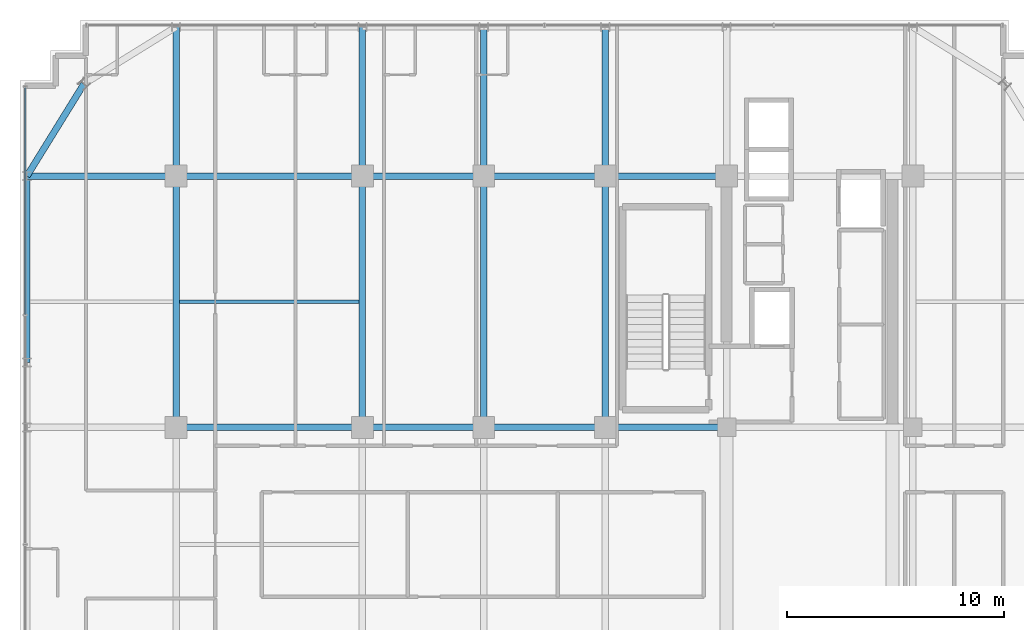
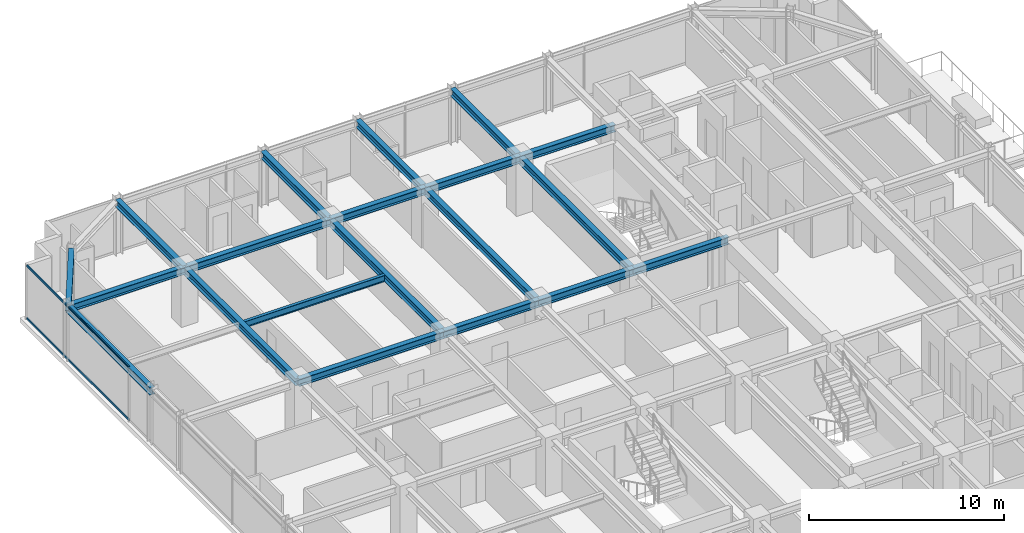
# One storey, part 19 of 34: 20 beams, 2 members, 1 element without a shape of its own.
"""IFC4 building model written with IfcOpenShell, lengths in metres."""

from ifc_helpers import new_model, si_unit, direction, frame, origin, origin_2d, place, context, subcontext, project, spatial, hollow_rectangle, i_section, extrude, source, transform, mapped, material, material_profile, profile_set, type_object, element, aggregate, save


model = new_model("IFC4")

# Units and contexts
model_context = context("Model", 3, precision=1e-05, world=origin(), true_north=direction((0.0, 1.0)))
body_context = subcontext(model_context, "Body", "Model", "MODEL_VIEW")
ifc_project = project(units=[si_unit("LENGTHUNIT", "METRE"), si_unit("AREAUNIT", "SQUARE_METRE"), si_unit("VOLUMEUNIT", "CUBIC_METRE"), si_unit("PLANEANGLEUNIT", "RADIAN"), si_unit("MASSUNIT", "GRAM", prefix="KILO")], contexts=[model_context])

# Site, building, storey
site_placement = place(None, origin())
site = spatial("IfcSite", under=ifc_project, at=site_placement, CompositionType="ELEMENT")
building_placement = place(site_placement, origin())
building = spatial("IfcBuilding", under=site, at=building_placement, Name="Nahalor Promenade Grand Hotel", CompositionType="ELEMENT")
storey_placement = place(building_placement, frame((0.0, 0.0, 208.60009765625)))
storey = spatial("IfcBuildingStorey", under=building, at=storey_placement, Name="L53", CompositionType="ELEMENT", Elevation=208.60009765625)

# Beams
ifc_material_1 = material(Name="Steel S355JR", Category="steel")
ifc_material_profile_1 = material_profile(ifc_material_1, i_section(OverallWidth=0.3, OverallDepth=0.45, WebThickness=0.014, FlangeThickness=0.026, at=origin_2d()), Name="HEB 450")
ifc_profile_set_1 = profile_set([ifc_material_profile_1], Name="Steel S355JR")
beam_type_1 = type_object("IfcBeamType", Name="Beam-Spandrel-HEB450", PredefinedType="SPANDREL", material=ifc_profile_set_1)
shared_shape_1 = source(origin(), body_context, "Body", "SweptSolid", [
    extrude(i_section(OverallWidth=0.3, OverallDepth=0.45, WebThickness=0.014, FlangeThickness=0.026, at=origin_2d()), origin(), (0.0, 0.0, 1.0), 8.60009765625),
])
beam_1_placement = place(storey_placement, frame((-23.8798828125, 8.39990234375, 3.184814453125), z_axis=(0.0, 1.0, 0.0), x_axis=(-1.0, 0.0, 0.0)))
element("IfcBeam", 1, at=beam_1_placement, inside=storey, type_object=beam_type_1, Name="BM-L53-SP-W-4", PredefinedType="SPANDREL", context=body_context, shape_type="MappedRepresentation", body=[
    mapped(shared_shape_1, transform((0.0, 0.0, 0.0), scale=1.0)),
])
shared_shape_2 = source(origin(), body_context, "Body", "SweptSolid", [
    extrude(i_section(OverallWidth=0.3, OverallDepth=0.45, WebThickness=0.014, FlangeThickness=0.026, at=origin_2d()), origin(), (0.0, 0.0, 1.0), 4.997802734375),
])
beam_2_placement = place(storey_placement, frame((-21.25, 21.25, 3.184814453125), z_axis=(-0.526199891161, -0.850360908404, 0.0), x_axis=(0.850360908404, -0.526199891161, 0.0)))
element("IfcBeam", 2, at=beam_2_placement, inside=storey, type_object=beam_type_1, Name="BM-L53-SPC-NW-2", PredefinedType="SPANDREL", context=body_context, shape_type="MappedRepresentation", body=[
    mapped(shared_shape_2, transform((0.0, 0.0, 0.0), scale=1.0)),
])
ifc_material_profile_2 = material_profile(ifc_material_1, i_section(OverallWidth=0.3, OverallDepth=0.45, WebThickness=0.014, FlangeThickness=0.026, at=origin_2d()), Name="HEB 450")
ifc_profile_set_2 = profile_set([ifc_material_profile_2], Name="Steel S355JR")
beam_type_2 = type_object("IfcBeamType", Name="Beam-Girder-HEB450", PredefinedType="BEAM", material=ifc_profile_set_2)
shared_shape_3 = source(origin(), body_context, "Body", "SweptSolid", [
    extrude(i_section(OverallWidth=0.3, OverallDepth=0.45, WebThickness=0.014, FlangeThickness=0.026, at=origin_2d()), origin(), (0.0, 0.0, 1.0), 6.8798828125),
])
for number, where, z_axis, x_axis, name in (
    (3, (-23.8798828125, 17.0, 3.184814453125), (1.0, 0.0, 0.0), (0.0, 1.0, 0.0), "BM-L53-GX-3-0"),
    (4, (-17.0, 17.0, 3.184814453125), (0.0, 1.0, 0.0), (-1.0, 0.0, 0.0), "BM-L53-GY-0-4"),
    (5, (-8.39990234375, 17.0, 3.184814453125), (0.0, 1.0, 0.0), (-1.0, 0.0, 0.0), "BM-L53-GY-1-4"),
    (6, (-2.800048828125, 17.0, 3.184814453125), (0.0, 1.0, 0.0), (-1.0, 0.0, 0.0), "BM-L53-GY-2-4"),
    (7, (2.800048828125, 17.0, 3.184814453125), (0.0, 1.0, 0.0), (-1.0, 0.0, 0.0), "BM-L53-GY-3-4"),
):
    element("IfcBeam", number, at=place(storey_placement, frame(where, z_axis=z_axis, x_axis=x_axis)), inside=storey, type_object=beam_type_2, Name=name, PredefinedType="BEAM", context=body_context, shape_type="MappedRepresentation", body=[
        mapped(shared_shape_3, transform((0.0, 0.0, 0.0), scale=1.0)),
    ])
shared_shape_4 = source(origin(), body_context, "Body", "SweptSolid", [
    extrude(i_section(OverallWidth=0.3, OverallDepth=0.45, WebThickness=0.014, FlangeThickness=0.026, at=origin_2d()), origin(), (0.0, 0.0, 1.0), 8.60009765625),
])
for number, where, z_axis, x_axis, name in (
    (8, (-17.0, 5.39990234375, 3.184814453125), (1.0, 0.0, 0.0), (0.0, 1.0, 0.0), "BM-L53-GX-2-1"),
    (9, (-17.0, 17.0, 3.184814453125), (1.0, 0.0, 0.0), (0.0, 1.0, 0.0), "BM-L53-GX-3-1"),
):
    element("IfcBeam", number, at=place(storey_placement, frame(where, z_axis=z_axis, x_axis=x_axis)), inside=storey, type_object=beam_type_2, Name=name, PredefinedType="BEAM", context=body_context, shape_type="MappedRepresentation", body=[
        mapped(shared_shape_4, transform((0.0, 0.0, 0.0), scale=1.0)),
    ])
shared_shape_5 = source(origin(), body_context, "Body", "SweptSolid", [
    extrude(i_section(OverallWidth=0.3, OverallDepth=0.45, WebThickness=0.014, FlangeThickness=0.026, at=origin_2d()), origin(), (0.0, 0.0, 1.0), 5.599853515625),
])
for number, where, z_axis, x_axis, name in (
    (10, (-8.39990234375, 5.39990234375, 3.184814453125), (1.0, 0.0, 0.0), (0.0, 1.0, 0.0), "BM-L53-GX-2-2"),
    (11, (2.800048828125, 5.39990234375, 3.184814453125), (1.0, 0.0, 0.0), (0.0, 1.0, 0.0), "BM-L53-GX-2-4"),
    (12, (-8.39990234375, 17.0, 3.184814453125), (1.0, 0.0, 0.0), (0.0, 1.0, 0.0), "BM-L53-GX-3-2"),
    (13, (2.800048828125, 17.0, 3.184814453125), (1.0, 0.0, 0.0), (0.0, 1.0, 0.0), "BM-L53-GX-3-4"),
):
    element("IfcBeam", number, at=place(storey_placement, frame(where, z_axis=z_axis, x_axis=x_axis)), inside=storey, type_object=beam_type_2, Name=name, PredefinedType="BEAM", context=body_context, shape_type="MappedRepresentation", body=[
        mapped(shared_shape_5, transform((0.0, 0.0, 0.0), scale=1.0)),
    ])
shared_shape_6 = source(origin(), body_context, "Body", "SweptSolid", [
    extrude(i_section(OverallWidth=0.3, OverallDepth=0.45, WebThickness=0.014, FlangeThickness=0.026, at=origin_2d()), origin(), (0.0, 0.0, 1.0), 5.60009765625),
])
for number, where, z_axis, x_axis, name in (
    (14, (-2.800048828125, 5.39990234375, 3.184814453125), (1.0, 0.0, 0.0), (0.0, 1.0, 0.0), "BM-L53-GX-2-3"),
    (15, (-2.800048828125, 17.0, 3.184814453125), (1.0, 0.0, 0.0), (0.0, 1.0, 0.0), "BM-L53-GX-3-3"),
):
    element("IfcBeam", number, at=place(storey_placement, frame(where, z_axis=z_axis, x_axis=x_axis)), inside=storey, type_object=beam_type_2, Name=name, PredefinedType="BEAM", context=body_context, shape_type="MappedRepresentation", body=[
        mapped(shared_shape_6, transform((0.0, 0.0, 0.0), scale=1.0)),
    ])
shared_shape_7 = source(origin(), body_context, "Body", "SweptSolid", [
    extrude(i_section(OverallWidth=0.3, OverallDepth=0.45, WebThickness=0.014, FlangeThickness=0.026, at=origin_2d()), origin(), (0.0, 0.0, 1.0), 11.60009765625),
])
for number, where, z_axis, x_axis, name in (
    (16, (-17.0, 5.39990234375, 3.184814453125), (0.0, 1.0, 0.0), (-1.0, 0.0, 0.0), "BM-L53-GY-0-3"),
    (17, (-8.39990234375, 5.39990234375, 3.184814453125), (0.0, 1.0, 0.0), (-1.0, 0.0, 0.0), "BM-L53-GY-1-3"),
    (18, (-2.800048828125, 5.39990234375, 3.184814453125), (0.0, 1.0, 0.0), (-1.0, 0.0, 0.0), "BM-L53-GY-2-3"),
    (19, (2.800048828125, 5.39990234375, 3.184814453125), (0.0, 1.0, 0.0), (-1.0, 0.0, 0.0), "BM-L53-GY-3-3"),
):
    element("IfcBeam", number, at=place(storey_placement, frame(where, z_axis=z_axis, x_axis=x_axis)), inside=storey, type_object=beam_type_2, Name=name, PredefinedType="BEAM", context=body_context, shape_type="MappedRepresentation", body=[
        mapped(shared_shape_7, transform((0.0, 0.0, 0.0), scale=1.0)),
    ])
ifc_material_profile_3 = material_profile(ifc_material_1, i_section(OverallWidth=0.18, OverallDepth=0.4, WebThickness=0.0086, FlangeThickness=0.0135, at=origin_2d()), Name="IPE 400")
ifc_profile_set_3 = profile_set([ifc_material_profile_3], Name="Steel S355JR")
beam_type_3 = type_object("IfcBeamType", Name="Beam-Joist-IPE400", PredefinedType="JOIST", material=ifc_profile_set_3)
shared_shape_8 = source(origin(), body_context, "Body", "SweptSolid", [
    extrude(i_section(OverallWidth=0.18, OverallDepth=0.4, WebThickness=0.0086, FlangeThickness=0.0135, at=origin_2d()), origin(), (0.0, 0.0, 1.0), 8.300048828125),
])
beam_3_placement = place(storey_placement, frame((-16.85009765625, 11.199951171875, 3.2099609375), z_axis=(1.0, 0.0, 0.0), x_axis=(0.0, 1.0, 0.0)))
element("IfcBeam", 20, at=beam_3_placement, inside=storey, type_object=beam_type_3, Name="BM-L53-JSW-1-1", PredefinedType="JOIST", context=body_context, shape_type="MappedRepresentation", body=[
    mapped(shared_shape_8, transform((0.0, 0.0, 0.0), scale=1.0)),
])

# Curtain wall, members
ifc_material_2 = material(Name="Anodised Bronze Aluminium EN AW-6063 T6", Category="aluminium")
curtain_wall_type = type_object("IfcCurtainWallType", Name="CW2 Typical Hotel Flush Bronze Unitised Curtain Wall", PredefinedType="USERDEFINED", material=ifc_material_2)
curtain_wall_placement = place(storey_placement, origin())
curtain_wall = element("IfcCurtainWall", 21, at=curtain_wall_placement, inside=storey, type_object=curtain_wall_type, Name="L53 Curtain Wall CW-L53-W-1", ObjectType="UNITISED_CURTAIN_WALL", PredefinedType="USERDEFINED")
ifc_material_profile_4 = material_profile(ifc_material_2, hollow_rectangle(XDim=0.065, YDim=0.13, WallThickness=0.004, at=origin_2d()), Name="CWT 65x130x4")
ifc_profile_set_4 = profile_set([ifc_material_profile_4], Name="Anodised Bronze Aluminium EN AW-6063 T6")
member_type = type_object("IfcMemberType", Name="CWT2 Typical Bronze Transom 65x130", PredefinedType="USERDEFINED", material=ifc_profile_set_4)
shared_shape_9 = source(origin(), body_context, "Body", "SweptSolid", [
    extrude(hollow_rectangle(XDim=0.065, YDim=0.13, WallThickness=0.004, at=origin_2d()), origin(), (0.0, 0.0, 1.0), 10.482421875),
])
member_1_placement = place(storey_placement, frame((-23.9599609375, 10.612548828125, 0.06494140625), z_axis=(0.0, 1.0, 0.0), x_axis=(-1.0, 0.0, 0.0)))
member_1 = element("IfcMember", 22, at=member_1_placement, type_object=member_type, Name="CW-L53-W-1 Transom 3-0", ObjectType="TRANSOM", PredefinedType="USERDEFINED", context=body_context, shape_type="MappedRepresentation", body=[
    mapped(shared_shape_9, transform((0.0, 0.0, 0.0), scale=1.0)),
])
member_2_placement = place(storey_placement, frame((-23.9599609375, 10.612548828125, 3.344970703125), z_axis=(0.0, 1.0, 0.0), x_axis=(-1.0, 0.0, 0.0)))
member_2 = element("IfcMember", 23, at=member_2_placement, type_object=member_type, Name="CW-L53-W-1 Transom 3-1", ObjectType="TRANSOM", PredefinedType="USERDEFINED", context=body_context, shape_type="MappedRepresentation", body=[
    mapped(shared_shape_9, transform((0.0, 0.0, 0.0), scale=1.0)),
])
aggregate(curtain_wall, [member_1, member_2])

save(model, "model.ifc")
